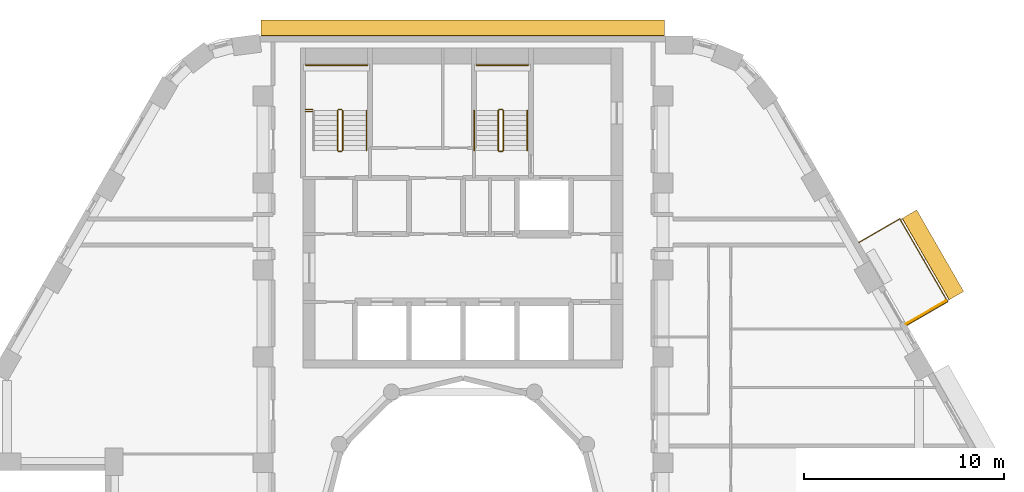
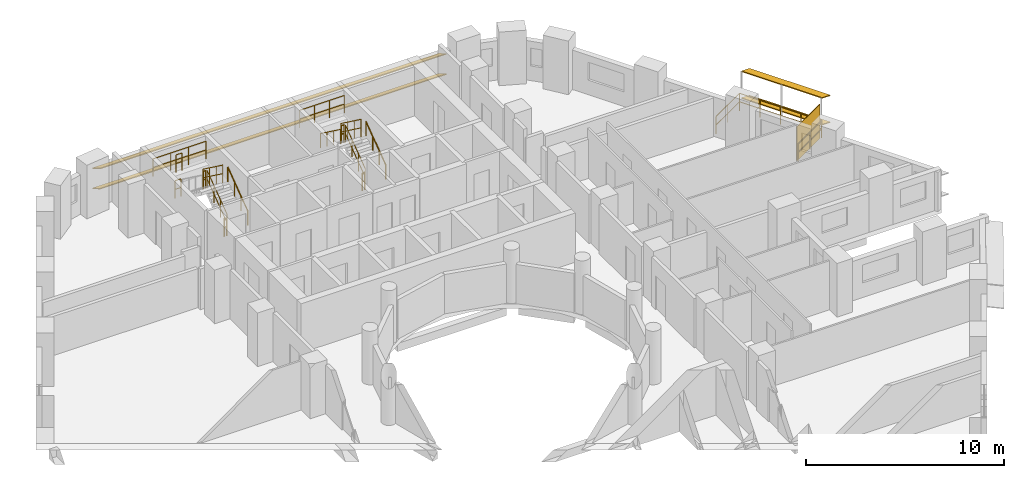
# One storey, part 13 of 13: 16 railings, 5 shading devices.
"""IFC4 building model written with IfcOpenShell, lengths in metres."""

from ifc_helpers import new_model, si_unit, direction, frame, origin, origin_2d, place, context, subcontext, project, spatial, rectangle, circle, extrude, material, layer, layer_set, material_profile, profile_set, type_object, element, save


model = new_model("IFC4")

# Units and contexts
model_context = context("Model", 3, precision=1e-05, world=origin(), true_north=direction((0.0, 1.0)))
body_context = subcontext(model_context, "Body", "Model", "MODEL_VIEW")
ifc_project = project(units=[si_unit("LENGTHUNIT", "METRE"), si_unit("AREAUNIT", "SQUARE_METRE"), si_unit("VOLUMEUNIT", "CUBIC_METRE"), si_unit("PLANEANGLEUNIT", "RADIAN"), si_unit("MASSUNIT", "GRAM", prefix="KILO")], contexts=[model_context])

# Site, building, storey
site_placement = place(None, origin())
site = spatial("IfcSite", under=ifc_project, at=site_placement, CompositionType="ELEMENT")
building_placement = place(site_placement, origin())
building = spatial("IfcBuilding", under=site, at=building_placement, Name="Nakaniwa Court", CompositionType="ELEMENT")
storey_placement = place(building_placement, frame((0.0, 0.0, 84.300048828125)))
storey = spatial("IfcBuildingStorey", under=building, at=storey_placement, Name="L21", CompositionType="ELEMENT", Elevation=84.300048828125)

# Railing
ifc_material_1 = material(Name="Black powder-coated steel flat bar balustrade S275", Category="steel")
railing_type_1 = type_object("IfcRailingType", Name="Black metal balcony guard 1100", PredefinedType="GUARDRAIL", material=ifc_material_1)
railing_1_placement = place(storey_placement, frame((102.210693359375, 89.530029296875, -0.050048828125)))
element("IfcRailing", 1, at=railing_1_placement, inside=storey, type_object=railing_type_1, Name="L21 balcony guard 01", PredefinedType="GUARDRAIL", context=body_context, shape_type="SweptSolid", body=[
    extrude(circle(Radius=0.02392578125, at=origin_2d()), frame((0.0, 0.0, 1.076171875), z_axis=(0.865980564943, 0.500077655111, 0.0), x_axis=(-0.500077655111, 0.865980564943, 0.0)), (0.0, 0.0, 1.0), 2.35986328125),
    extrude(circle(Radius=0.02392578125, at=origin_2d()), frame((0.0, 0.0, 0.550048828125), z_axis=(0.865980564943, 0.500077655111, 0.0), x_axis=(-0.500077655111, 0.865980564943, 0.0)), (0.0, 0.0, 1.0), 2.35986328125),
    extrude(circle(Radius=0.02392578125, at=origin_2d()), frame((2.043701171875, 1.18017578125, 1.076171875), z_axis=(-0.500006494744, 0.86602165401, 0.0), x_axis=(-0.86602165401, -0.500006494744, 0.0)), (0.0, 0.0, 1.0), 4.78662109375),
    extrude(circle(Radius=0.02392578125, at=origin_2d()), frame((2.043701171875, 1.18017578125, 0.550048828125), z_axis=(-0.500006494744, 0.86602165401, 0.0), x_axis=(-0.86602165401, -0.500006494744, 0.0)), (0.0, 0.0, 1.0), 4.78662109375),
    extrude(circle(Radius=0.02392578125, at=origin_2d()), frame((-0.349609375, 5.325439453125, 1.076171875), z_axis=(-0.865980564943, -0.500077655111, 0.0), x_axis=(0.500077655111, -0.865980564943, 0.0)), (0.0, 0.0, 1.0), 2.35986328125),
    extrude(circle(Radius=0.02392578125, at=origin_2d()), frame((-0.349609375, 5.325439453125, 0.550048828125), z_axis=(-0.865980564943, -0.500077655111, 0.0), x_axis=(0.500077655111, -0.865980564943, 0.0)), (0.0, 0.0, 1.0), 2.35986328125),
    extrude(circle(Radius=0.02099609375, at=origin_2d()), origin(), (0.0, 0.0, 1.0), 1.052001953125),
    extrude(circle(Radius=0.02099609375, at=origin_2d()), frame((1.02197265625, 0.590087890625, 0.0)), (0.0, 0.0, 1.0), 1.052001953125),
    extrude(circle(Radius=0.02099609375, at=origin_2d()), frame((2.043701171875, 1.18017578125, 0.0)), (0.0, 0.0, 1.0), 1.052001953125),
    extrude(circle(Radius=0.02099609375, at=origin_2d()), frame((1.4453125, 2.216552734375, 0.0)), (0.0, 0.0, 1.0), 1.052001953125),
    extrude(circle(Radius=0.02099609375, at=origin_2d()), frame((0.84716796875, 3.2529296875, 0.0)), (0.0, 0.0, 1.0), 1.052001953125),
    extrude(circle(Radius=0.02099609375, at=origin_2d()), frame((0.248779296875, 4.2890625, 0.0)), (0.0, 0.0, 1.0), 1.052001953125),
    extrude(circle(Radius=0.02099609375, at=origin_2d()), frame((-0.349609375, 5.325439453125, 0.0)), (0.0, 0.0, 1.0), 1.052001953125),
    extrude(circle(Radius=0.02099609375, at=origin_2d()), frame((-1.37158203125, 4.7353515625, 0.0)), (0.0, 0.0, 1.0), 1.052001953125),
    extrude(circle(Radius=0.02099609375, at=origin_2d()), frame((-2.393310546875, 4.145263671875, 0.0)), (0.0, 0.0, 1.0), 1.052001953125),
])

# Shading devices
ifc_material_2 = material(Name="Black powder-coated aluminium slat screen", Category="aluminium")
ifc_layer = layer(ifc_material_2, 0.0400390625)
ifc_layer_set = layer_set([ifc_layer], Name="Black powder-coated aluminium slat screen")
shading_device_type_1 = type_object("IfcShadingDeviceType", Name="Koshi screen black metal", PredefinedType="USERDEFINED", material=ifc_layer_set)
shading_device_placement = place(storey_placement, frame((103.1708984375, 90.177001953125, -0.050048828125), z_axis=(0.0, 0.0, 1.0), x_axis=(-0.499974304289, 0.866040238702, 0.0)))
element("IfcShadingDevice", 2, at=shading_device_placement, inside=storey, type_object=shading_device_type_1, Name="L21 balcony SCREEN 01 W", ObjectType="KOSHI SCREEN", PredefinedType="USERDEFINED", context=body_context, shape_type="SweptSolid", body=[
    extrude(rectangle(XDim=0.0400390625, YDim=2.31005859375, at=origin_2d()), origin(), (0.0, 0.0, 1.0), 2.10009765625),
])
ifc_material_3 = material(Name="Perforated charcoal ceramic louvre blade")
ifc_material_profile = material_profile(ifc_material_3, rectangle(XDim=0.89990234375, YDim=0.050048828125, at=origin_2d()), Name="Perforated ceramic louvre blade")
ifc_profile_set = profile_set([ifc_material_profile], Name="Perforated charcoal ceramic louvre blade")
shading_device_type_2 = type_object("IfcShadingDeviceType", Name="Perforated ceramic louvre blade", PredefinedType="JALOUSIE", material=ifc_profile_set)
for number, where, z_axis, x_axis, name in (
    (3, (104.689208984375, 91.00732421875, 0.5), (-0.499943973338, 0.866057748376, 0.0), (-0.800133027698, -0.461888004369, 0.382683432365), "L21 perforated ceramic louvre blade 01 1"),
    (4, (104.689208984375, 91.00732421875, 2.14990234375), (-0.499943973338, 0.866057748376, 0.0), (-0.800133027698, -0.461888004369, 0.382683432365), "L21 perforated ceramic louvre blade 01 2"),
):
    element("IfcShadingDevice", number, at=place(storey_placement, frame(where, z_axis=z_axis, x_axis=x_axis)), inside=storey, type_object=shading_device_type_2, Name=name, PredefinedType="JALOUSIE", context=body_context, shape_type="SweptSolid", body=[
        extrude(rectangle(XDim=0.89990234375, YDim=0.050048828125, at=origin_2d()), origin(), (0.0, 0.0, 1.0), 4.70654296875),
    ])
for number, where, z_axis, x_axis, name in (
    (5, (90.07861328125, 104.402099609375, 0.550048828125), (-1.0, 0.0, 0.0), (0.0, -0.866025403784, 0.5), "L21 perforated ceramic louvre blade w08 1"),
    (6, (90.07861328125, 104.402099609375, 1.793212890625), (-1.0, 0.0, 0.0), (0.0, -0.866025403784, 0.5), "L21 perforated ceramic louvre blade w08 2"),
):
    element("IfcShadingDevice", number, at=place(storey_placement, frame(where, z_axis=z_axis, x_axis=x_axis)), inside=storey, type_object=shading_device_type_2, Name=name, PredefinedType="JALOUSIE", context=body_context, shape_type="SweptSolid", body=[
        extrude(rectangle(XDim=0.89990234375, YDim=0.050048828125, at=origin_2d()), origin(), (0.0, 0.0, 1.0), 20.19091796875),
    ])

# Railings
ifc_material_4 = material(Name="Black powder coated steel guard", Category="steel")
railing_type_2 = type_object("IfcRailingType", Name="Stair guard 1100", PredefinedType="GUARDRAIL", material=ifc_material_4)
railing_2_placement = place(storey_placement, frame((73.97509765625, 98.27490234375, 0.183349609375)))
element("IfcRailing", 7, at=railing_2_placement, inside=storey, type_object=railing_type_2, Name="L21 ST1 stair guard 1", PredefinedType="GUARDRAIL", context=body_context, shape_type="SweptSolid", body=[
    extrude(circle(Radius=0.02392578125, at=origin_2d()), frame((0.0, 0.0, 1.076171875), z_axis=(0.0, 0.806426902644, 0.591333789573), x_axis=(-1.0, 0.0, 0.0)), (0.0, 0.0, 1.0), 2.47998046875),
    extrude(circle(Radius=0.02392578125, at=origin_2d()), frame((0.0, 0.0, 0.550048828125), z_axis=(0.0, 0.806426902644, 0.591333789573), x_axis=(-1.0, 0.0, 0.0)), (0.0, 0.0, 1.0), 2.47998046875),
    extrude(circle(Radius=0.02099609375, at=origin_2d()), origin(), (0.0, 0.0, 1.0), 1.052001953125),
    extrude(circle(Radius=0.02099609375, at=origin_2d()), frame((0.0, 0.666748046875, 0.48876953125)), (0.0, 0.0, 1.0), 1.052001953125),
    extrude(circle(Radius=0.02099609375, at=origin_2d()), frame((0.0, 1.333251953125, 0.977783203125)), (0.0, 0.0, 1.0), 1.052001953125),
    extrude(circle(Radius=0.02099609375, at=origin_2d()), frame((0.0, 2.0, 1.466552734375)), (0.0, 0.0, 1.0), 1.052001953125),
])
railing_3_placement = place(storey_placement, frame((73.925048828125, 100.324951171875, 1.64990234375)))
element("IfcRailing", 8, at=railing_3_placement, inside=storey, type_object=railing_type_2, Name="L21 ST1 stair guard 2", PredefinedType="GUARDRAIL", context=body_context, shape_type="SweptSolid", body=[
    extrude(circle(Radius=0.02392578125, at=origin_2d()), frame((0.0, 0.0, 1.076171875), z_axis=(-1.0, 0.0, 0.0), x_axis=(0.0, -1.0, 0.0)), (0.0, 0.0, 1.0), 0.150146484375),
    extrude(circle(Radius=0.02392578125, at=origin_2d()), frame((0.0, 0.0, 0.550048828125), z_axis=(-1.0, 0.0, 0.0), x_axis=(0.0, -1.0, 0.0)), (0.0, 0.0, 1.0), 0.150146484375),
    extrude(circle(Radius=0.02099609375, at=origin_2d()), origin(), (0.0, 0.0, 1.0), 1.052001953125),
    extrude(circle(Radius=0.02099609375, at=origin_2d()), frame((-0.150146484375, 0.0, 0.0)), (0.0, 0.0, 1.0), 1.052001953125),
])
railing_4_placement = place(storey_placement, frame((73.72509765625, 100.27490234375, 1.833251953125)))
element("IfcRailing", 9, at=railing_4_placement, inside=storey, type_object=railing_type_2, Name="L21 ST1 stair guard 3", PredefinedType="GUARDRAIL", context=body_context, shape_type="SweptSolid", body=[
    extrude(circle(Radius=0.02392578125, at=origin_2d()), frame((0.0, 0.0, 1.076171875), z_axis=(0.0, -0.806379959628, 0.591397802423), x_axis=(1.0, 0.0, 0.0)), (0.0, 0.0, 1.0), 2.480224609375),
    extrude(circle(Radius=0.02392578125, at=origin_2d()), frame((0.0, 0.0, 0.550048828125), z_axis=(0.0, -0.806379959628, 0.591397802423), x_axis=(1.0, 0.0, 0.0)), (0.0, 0.0, 1.0), 2.480224609375),
    extrude(circle(Radius=0.02099609375, at=origin_2d()), origin(), (0.0, 0.0, 1.0), 1.052001953125),
    extrude(circle(Radius=0.02099609375, at=origin_2d()), frame((0.0, -0.666748046875, 0.489013671875)), (0.0, 0.0, 1.0), 1.052001953125),
    extrude(circle(Radius=0.02099609375, at=origin_2d()), frame((0.0, -1.333251953125, 0.977783203125)), (0.0, 0.0, 1.0), 1.052001953125),
    extrude(circle(Radius=0.02099609375, at=origin_2d()), frame((0.0, -2.0, 1.466796875)), (0.0, 0.0, 1.0), 1.052001953125),
])
railing_5_placement = place(storey_placement, frame((73.925048828125, 98.22509765625, 0.0)))
element("IfcRailing", 10, at=railing_5_placement, inside=storey, type_object=railing_type_2, Name="L21 ST1 stair guard 4", PredefinedType="GUARDRAIL", context=body_context, shape_type="SweptSolid", body=[
    extrude(circle(Radius=0.02392578125, at=origin_2d()), frame((0.0, 0.0, 1.076171875), z_axis=(-1.0, 0.0, 0.0), x_axis=(0.0, -1.0, 0.0)), (0.0, 0.0, 1.0), 0.150146484375),
    extrude(circle(Radius=0.02392578125, at=origin_2d()), frame((0.0, 0.0, 0.550048828125), z_axis=(-1.0, 0.0, 0.0), x_axis=(0.0, -1.0, 0.0)), (0.0, 0.0, 1.0), 0.150146484375),
    extrude(circle(Radius=0.02099609375, at=origin_2d()), origin(), (0.0, 0.0, 1.0), 1.052001953125),
    extrude(circle(Radius=0.02099609375, at=origin_2d()), frame((-0.150146484375, 0.0, 0.0)), (0.0, 0.0, 1.0), 1.052001953125),
])
railing_6_placement = place(storey_placement, frame((72.125, 102.550048828125, 1.64990234375)))
element("IfcRailing", 11, at=railing_6_placement, inside=storey, type_object=railing_type_2, Name="L21 ST1 landing end guard 1", PredefinedType="GUARDRAIL", context=body_context, shape_type="SweptSolid", body=[
    extrude(circle(Radius=0.02392578125, at=origin_2d()), frame((0.0, 0.0, 1.076171875), z_axis=(1.0, 0.0, 0.0), x_axis=(0.0, 1.0, 0.0)), (0.0, 0.0, 1.0), 3.10009765625),
    extrude(circle(Radius=0.02392578125, at=origin_2d()), frame((0.0, 0.0, 0.550048828125), z_axis=(1.0, 0.0, 0.0), x_axis=(0.0, 1.0, 0.0)), (0.0, 0.0, 1.0), 3.10009765625),
    extrude(circle(Radius=0.02099609375, at=origin_2d()), origin(), (0.0, 0.0, 1.0), 1.052001953125),
    extrude(circle(Radius=0.02099609375, at=origin_2d()), frame((1.033447265625, 0.0, 0.0)), (0.0, 0.0, 1.0), 1.052001953125),
    extrude(circle(Radius=0.02099609375, at=origin_2d()), frame((2.066650390625, 0.0, 0.0)), (0.0, 0.0, 1.0), 1.052001953125),
    extrude(circle(Radius=0.02099609375, at=origin_2d()), frame((3.10009765625, 0.0, 0.0)), (0.0, 0.0, 1.0), 1.052001953125),
])
for number, where, name in (
    (12, (72.125, 100.324951171875, 1.64990234375), "L21 ST1 landing side guard 1W"),
    (13, (72.125, 100.22509765625, 3.300048828125), "L21 ST1 floor edge guard 1W"),
):
    element("IfcRailing", number, at=place(storey_placement, frame(where)), inside=storey, type_object=railing_type_2, Name=name, PredefinedType="GUARDRAIL", context=body_context, shape_type="SweptSolid", body=[
        extrude(circle(Radius=0.02392578125, at=origin_2d()), frame((0.0, 0.0, 1.076171875), z_axis=(1.0, 0.0, 0.0), x_axis=(0.0, 1.0, 0.0)), (0.0, 0.0, 1.0), 0.35009765625),
        extrude(circle(Radius=0.02392578125, at=origin_2d()), frame((0.0, 0.0, 0.550048828125), z_axis=(1.0, 0.0, 0.0), x_axis=(0.0, 1.0, 0.0)), (0.0, 0.0, 1.0), 0.35009765625),
        extrude(circle(Radius=0.02099609375, at=origin_2d()), origin(), (0.0, 0.0, 1.0), 1.052001953125),
        extrude(circle(Radius=0.02099609375, at=origin_2d()), frame((0.35009765625, 0.0, 0.0)), (0.0, 0.0, 1.0), 1.052001953125),
    ])
railing_7_placement = place(storey_placement, frame((82.02490234375, 98.27490234375, 0.183349609375)))
element("IfcRailing", 14, at=railing_7_placement, inside=storey, type_object=railing_type_2, Name="L21 ST2 stair guard 1", PredefinedType="GUARDRAIL", context=body_context, shape_type="SweptSolid", body=[
    extrude(circle(Radius=0.02392578125, at=origin_2d()), frame((0.0, 0.0, 1.076171875), z_axis=(0.0, 0.806426902644, 0.591333789573), x_axis=(-1.0, 0.0, 0.0)), (0.0, 0.0, 1.0), 2.47998046875),
    extrude(circle(Radius=0.02392578125, at=origin_2d()), frame((0.0, 0.0, 0.550048828125), z_axis=(0.0, 0.806426902644, 0.591333789573), x_axis=(-1.0, 0.0, 0.0)), (0.0, 0.0, 1.0), 2.47998046875),
    extrude(circle(Radius=0.02099609375, at=origin_2d()), origin(), (0.0, 0.0, 1.0), 1.052001953125),
    extrude(circle(Radius=0.02099609375, at=origin_2d()), frame((0.0, 0.666748046875, 0.48876953125)), (0.0, 0.0, 1.0), 1.052001953125),
    extrude(circle(Radius=0.02099609375, at=origin_2d()), frame((0.0, 1.333251953125, 0.977783203125)), (0.0, 0.0, 1.0), 1.052001953125),
    extrude(circle(Radius=0.02099609375, at=origin_2d()), frame((0.0, 2.0, 1.466552734375)), (0.0, 0.0, 1.0), 1.052001953125),
])
railing_8_placement = place(storey_placement, frame((81.97509765625, 100.324951171875, 1.64990234375)))
element("IfcRailing", 15, at=railing_8_placement, inside=storey, type_object=railing_type_2, Name="L21 ST2 stair guard 2", PredefinedType="GUARDRAIL", context=body_context, shape_type="SweptSolid", body=[
    extrude(circle(Radius=0.02392578125, at=origin_2d()), frame((0.0, 0.0, 1.076171875), z_axis=(-1.0, 0.0, 0.0), x_axis=(0.0, -1.0, 0.0)), (0.0, 0.0, 1.0), 0.150146484375),
    extrude(circle(Radius=0.02392578125, at=origin_2d()), frame((0.0, 0.0, 0.550048828125), z_axis=(-1.0, 0.0, 0.0), x_axis=(0.0, -1.0, 0.0)), (0.0, 0.0, 1.0), 0.150146484375),
    extrude(circle(Radius=0.02099609375, at=origin_2d()), origin(), (0.0, 0.0, 1.0), 1.052001953125),
    extrude(circle(Radius=0.02099609375, at=origin_2d()), frame((-0.150146484375, 0.0, 0.0)), (0.0, 0.0, 1.0), 1.052001953125),
])
railing_9_placement = place(storey_placement, frame((81.77490234375, 100.27490234375, 1.833251953125)))
element("IfcRailing", 16, at=railing_9_placement, inside=storey, type_object=railing_type_2, Name="L21 ST2 stair guard 3", PredefinedType="GUARDRAIL", context=body_context, shape_type="SweptSolid", body=[
    extrude(circle(Radius=0.02392578125, at=origin_2d()), frame((0.0, 0.0, 1.076171875), z_axis=(0.0, -0.806379959628, 0.591397802423), x_axis=(1.0, 0.0, 0.0)), (0.0, 0.0, 1.0), 2.480224609375),
    extrude(circle(Radius=0.02392578125, at=origin_2d()), frame((0.0, 0.0, 0.550048828125), z_axis=(0.0, -0.806379959628, 0.591397802423), x_axis=(1.0, 0.0, 0.0)), (0.0, 0.0, 1.0), 2.480224609375),
    extrude(circle(Radius=0.02099609375, at=origin_2d()), origin(), (0.0, 0.0, 1.0), 1.052001953125),
    extrude(circle(Radius=0.02099609375, at=origin_2d()), frame((0.0, -0.666748046875, 0.489013671875)), (0.0, 0.0, 1.0), 1.052001953125),
    extrude(circle(Radius=0.02099609375, at=origin_2d()), frame((0.0, -1.333251953125, 0.977783203125)), (0.0, 0.0, 1.0), 1.052001953125),
    extrude(circle(Radius=0.02099609375, at=origin_2d()), frame((0.0, -2.0, 1.466796875)), (0.0, 0.0, 1.0), 1.052001953125),
])
railing_10_placement = place(storey_placement, frame((81.97509765625, 98.22509765625, 0.0)))
element("IfcRailing", 17, at=railing_10_placement, inside=storey, type_object=railing_type_2, Name="L21 ST2 stair guard 4", PredefinedType="GUARDRAIL", context=body_context, shape_type="SweptSolid", body=[
    extrude(circle(Radius=0.02392578125, at=origin_2d()), frame((0.0, 0.0, 1.076171875), z_axis=(-1.0, 0.0, 0.0), x_axis=(0.0, -1.0, 0.0)), (0.0, 0.0, 1.0), 0.150146484375),
    extrude(circle(Radius=0.02392578125, at=origin_2d()), frame((0.0, 0.0, 0.550048828125), z_axis=(-1.0, 0.0, 0.0), x_axis=(0.0, -1.0, 0.0)), (0.0, 0.0, 1.0), 0.150146484375),
    extrude(circle(Radius=0.02099609375, at=origin_2d()), origin(), (0.0, 0.0, 1.0), 1.052001953125),
    extrude(circle(Radius=0.02099609375, at=origin_2d()), frame((-0.150146484375, 0.0, 0.0)), (0.0, 0.0, 1.0), 1.052001953125),
])
railing_11_placement = place(storey_placement, frame((80.675048828125, 102.550048828125, 1.64990234375)))
element("IfcRailing", 18, at=railing_11_placement, inside=storey, type_object=railing_type_2, Name="L21 ST2 landing end guard 1", PredefinedType="GUARDRAIL", context=body_context, shape_type="SweptSolid", body=[
    extrude(circle(Radius=0.02392578125, at=origin_2d()), frame((0.0, 0.0, 1.076171875), z_axis=(1.0, 0.0, 0.0), x_axis=(0.0, 1.0, 0.0)), (0.0, 0.0, 1.0), 2.599853515625),
    extrude(circle(Radius=0.02392578125, at=origin_2d()), frame((0.0, 0.0, 0.550048828125), z_axis=(1.0, 0.0, 0.0), x_axis=(0.0, 1.0, 0.0)), (0.0, 0.0, 1.0), 2.599853515625),
    extrude(circle(Radius=0.02099609375, at=origin_2d()), origin(), (0.0, 0.0, 1.0), 1.052001953125),
    extrude(circle(Radius=0.02099609375, at=origin_2d()), frame((0.86669921875, 0.0, 0.0)), (0.0, 0.0, 1.0), 1.052001953125),
    extrude(circle(Radius=0.02099609375, at=origin_2d()), frame((1.733154296875, 0.0, 0.0)), (0.0, 0.0, 1.0), 1.052001953125),
    extrude(circle(Radius=0.02099609375, at=origin_2d()), frame((2.599853515625, 0.0, 0.0)), (0.0, 0.0, 1.0), 1.052001953125),
])
ifc_material_5 = material(Name="Black powder coated steel handrail", Category="steel")
railing_type_3 = type_object("IfcRailingType", Name="Stair handrail 900", PredefinedType="HANDRAIL", material=ifc_material_5)
for number, where, name in (
    (19, (75.175048828125, 98.27490234375, 0.183349609375), "L21 ST1 stair handrail 1"),
    (20, (83.22509765625, 98.27490234375, 0.183349609375), "L21 ST2 stair handrail 1"),
):
    element("IfcRailing", number, at=place(storey_placement, frame(where)), inside=storey, type_object=railing_type_3, Name=name, PredefinedType="HANDRAIL", context=body_context, shape_type="SweptSolid", body=[
        extrude(circle(Radius=0.02392578125, at=origin_2d()), frame((0.0, 0.0, 0.8759765625), z_axis=(0.0, 0.806426902644, 0.591333789573), x_axis=(-1.0, 0.0, 0.0)), (0.0, 0.0, 1.0), 2.47998046875),
        extrude(circle(Radius=0.02099609375, at=origin_2d()), origin(), (0.0, 0.0, 1.0), 0.851806640625),
        extrude(circle(Radius=0.02099609375, at=origin_2d()), frame((0.0, 0.666748046875, 0.48876953125)), (0.0, 0.0, 1.0), 0.851806640625),
        extrude(circle(Radius=0.02099609375, at=origin_2d()), frame((0.0, 1.333251953125, 0.977783203125)), (0.0, 0.0, 1.0), 0.851806640625),
        extrude(circle(Radius=0.02099609375, at=origin_2d()), frame((0.0, 2.0, 1.466552734375)), (0.0, 0.0, 1.0), 0.851806640625),
    ])
railing_12_placement = place(storey_placement, frame((80.574951171875, 100.27490234375, 1.833251953125)))
element("IfcRailing", 21, at=railing_12_placement, inside=storey, type_object=railing_type_3, Name="L21 ST2 stair handrail 2", PredefinedType="HANDRAIL", context=body_context, shape_type="SweptSolid", body=[
    extrude(circle(Radius=0.02392578125, at=origin_2d()), frame((0.0, 0.0, 0.8759765625), z_axis=(0.0, -0.806379959628, 0.591397802423), x_axis=(1.0, 0.0, 0.0)), (0.0, 0.0, 1.0), 2.480224609375),
    extrude(circle(Radius=0.02099609375, at=origin_2d()), origin(), (0.0, 0.0, 1.0), 0.851806640625),
    extrude(circle(Radius=0.02099609375, at=origin_2d()), frame((0.0, -0.666748046875, 0.489013671875)), (0.0, 0.0, 1.0), 0.851806640625),
    extrude(circle(Radius=0.02099609375, at=origin_2d()), frame((0.0, -1.333251953125, 0.977783203125)), (0.0, 0.0, 1.0), 0.851806640625),
    extrude(circle(Radius=0.02099609375, at=origin_2d()), frame((0.0, -2.0, 1.466796875)), (0.0, 0.0, 1.0), 0.851806640625),
])

save(model, "model.ifc")
